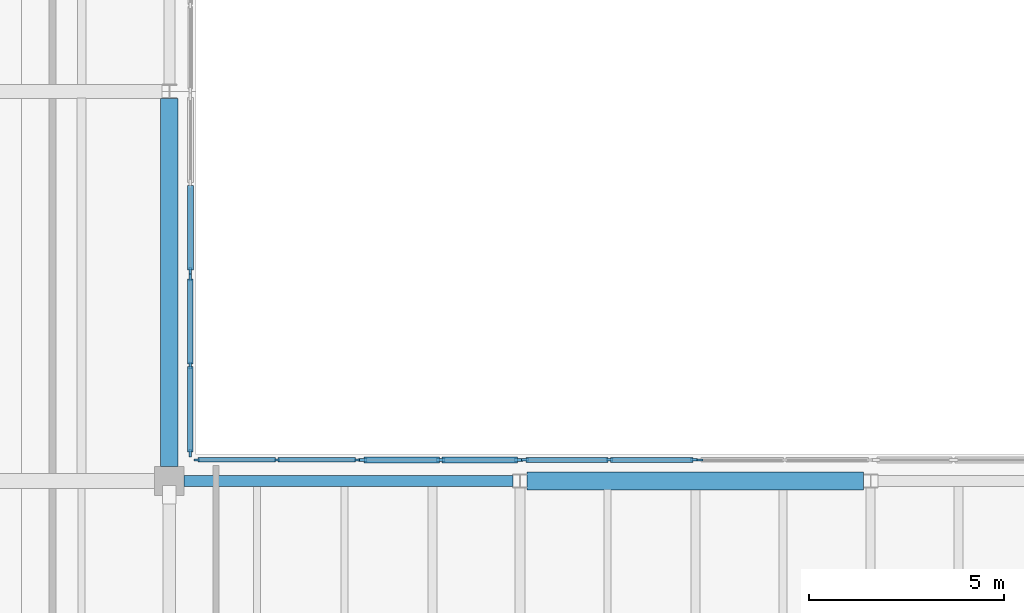
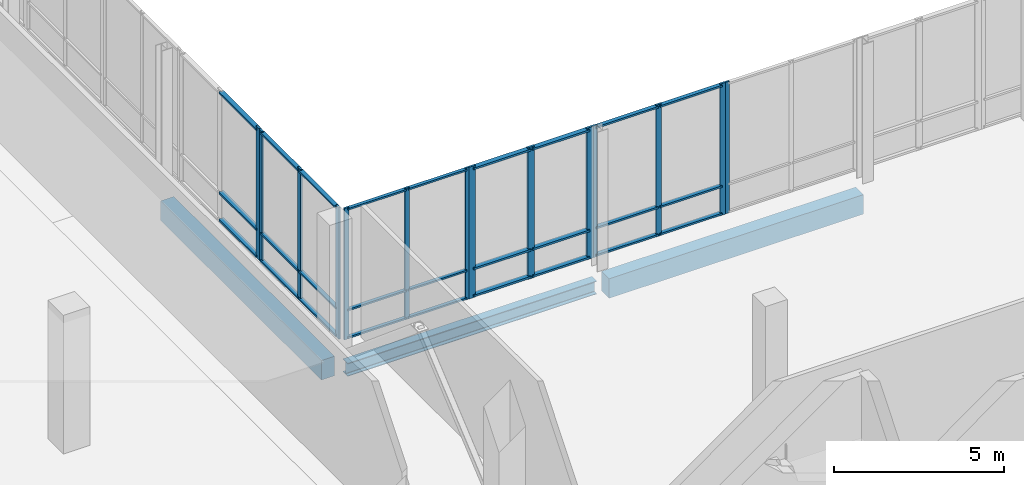
# One storey, part 35 of 88: 41 members, 3 beams, 6 elements without a shape of their own.
"""IFC4 building model written with IfcOpenShell, lengths in metres."""

from ifc_helpers import new_model, si_unit, direction, frame, origin, origin_2d, place, context, subcontext, project, spatial, rectangle, i_section, extrude, material, material_profile, profile_set, type_object, element, aggregate, save


model = new_model("IFC4")

# Units and contexts
model_context = context("Model", 3, precision=1e-05, world=origin(), true_north=direction((0.0, 1.0)))
body_context = subcontext(model_context, "Body", "Model", "MODEL_VIEW")
ifc_project = project(units=[si_unit("LENGTHUNIT", "METRE"), si_unit("AREAUNIT", "SQUARE_METRE"), si_unit("VOLUMEUNIT", "CUBIC_METRE"), si_unit("PLANEANGLEUNIT", "RADIAN"), si_unit("MASSUNIT", "GRAM", prefix="KILO")], contexts=[model_context])

# Site, building, storey
site_placement = place(None, origin())
site = spatial("IfcSite", under=ifc_project, at=site_placement, CompositionType="ELEMENT")
building_placement = place(site_placement, origin())
building = spatial("IfcBuilding", under=site, at=building_placement, Name="Trimount Lyric Opera House", CompositionType="ELEMENT")
storey_placement = place(building_placement, origin())
storey = spatial("IfcBuildingStorey", under=building, at=storey_placement, Name="L00", CompositionType="ELEMENT", Elevation=0.0)

# Curtain wall, member
ifc_material_1 = material(Name="Thermally Broken Aluminium and Low-E Glass", Category="aluminium")
curtain_wall_type = type_object("IfcCurtainWallType", Name="CW-03", PredefinedType="NOTDEFINED", material=ifc_material_1)
curtain_wall_1_placement = place(storey_placement, origin())
curtain_wall_1 = element("IfcCurtainWall", 1, at=curtain_wall_1_placement, inside=storey, type_object=curtain_wall_type, Name="L00 curtain wall 075", PredefinedType="NOTDEFINED")
ifc_material_2 = material(Name="Anodised Aluminium 6063-T6", Category="aluminium")
ifc_material_profile_1 = material_profile(ifc_material_2, rectangle(XDim=0.070068359375, YDim=0.219970703125, at=origin_2d()), Name="ALU-MULL-70X220")
ifc_profile_set_1 = profile_set([ifc_material_profile_1], Name="Anodised Aluminium 6063-T6")
member_type_1 = type_object("IfcMemberType", Name="ML-01", PredefinedType="MULLION", material=ifc_profile_set_1)
member_1_placement = place(storey_placement, frame((18.5400390625, 79.375, 0.0), z_axis=(0.0, 0.0, 1.0), x_axis=(1.0, 0.0, 0.0)))
member_1 = element("IfcMember", 2, at=member_1_placement, type_object=member_type_1, Name="CW-03 mullion 3", PredefinedType="MULLION", context=body_context, shape_type="SweptSolid", body=[
    extrude(rectangle(XDim=0.070068359375, YDim=0.219970703125, at=origin_2d()), origin(), (0.0, 0.0, 1.0), 4.719970703125),
])

# Curtain wall, members
curtain_wall_2_placement = place(storey_placement, origin())
curtain_wall_2 = element("IfcCurtainWall", 3, at=curtain_wall_2_placement, inside=storey, type_object=curtain_wall_type, Name="L00 curtain wall 078", PredefinedType="NOTDEFINED")
member_2_placement = place(storey_placement, frame((22.965087890625, 74.5400390625, 0.0), z_axis=(0.0, 0.0, 1.0), x_axis=(0.0, 1.0, 0.0)))
member_2 = element("IfcMember", 4, at=member_2_placement, type_object=member_type_1, Name="CW-03 mullion 1", PredefinedType="MULLION", context=body_context, shape_type="SweptSolid", body=[
    extrude(rectangle(XDim=0.070068359375, YDim=0.219970703125, at=origin_2d()), origin(), (0.0, 0.0, 1.0), 4.719970703125),
])
member_3_placement = place(storey_placement, frame((24.965087890625, 74.5400390625, 0.0), z_axis=(0.0, 0.0, 1.0), x_axis=(0.0, 1.0, 0.0)))
member_3 = element("IfcMember", 5, at=member_3_placement, type_object=member_type_1, Name="CW-03 mullion 2", PredefinedType="MULLION", context=body_context, shape_type="SweptSolid", body=[
    extrude(rectangle(XDim=0.070068359375, YDim=0.219970703125, at=origin_2d()), origin(), (0.0, 0.0, 1.0), 4.719970703125),
])
member_4_placement = place(storey_placement, frame((26.965087890625, 74.5400390625, 0.0), z_axis=(0.0, 0.0, 1.0), x_axis=(0.0, 1.0, 0.0)))
member_4 = element("IfcMember", 6, at=member_4_placement, type_object=member_type_1, Name="CW-03 mullion 3", PredefinedType="MULLION", context=body_context, shape_type="SweptSolid", body=[
    extrude(rectangle(XDim=0.070068359375, YDim=0.219970703125, at=origin_2d()), origin(), (0.0, 0.0, 1.0), 4.719970703125),
])

curtain_wall_3_placement = place(storey_placement, origin())
curtain_wall_3 = element("IfcCurtainWall", 7, at=curtain_wall_3_placement, inside=storey, type_object=curtain_wall_type, Name="L00 curtain wall 076", PredefinedType="NOTDEFINED")
ifc_material_3 = material(Name="Anodised Aluminium 6063-T6", Category="aluminium")
ifc_material_profile_2 = material_profile(ifc_material_3, rectangle(XDim=0.06494140625, YDim=0.179931640625, at=origin_2d()), Name="ALU-MULL-65X180")
ifc_profile_set_2 = profile_set([ifc_material_profile_2], Name="Anodised Aluminium 6063-T6")
member_type_2 = type_object("IfcMemberType", Name="ML-02", PredefinedType="MULLION", material=ifc_profile_set_2)
member_5_placement = place(storey_placement, frame((18.5400390625, 79.217529296875, 0.0), z_axis=(0.0, 0.0, 1.0), x_axis=(1.0, 0.0, 0.0)))
member_5 = element("IfcMember", 8, at=member_5_placement, type_object=member_type_2, Name="CW-03 mullion 1", PredefinedType="MULLION", context=body_context, shape_type="SweptSolid", body=[
    extrude(rectangle(XDim=0.06494140625, YDim=0.179931640625, at=origin_2d()), origin(), (0.0, 0.0, 1.0), 4.719970703125),
])
member_6_placement = place(storey_placement, frame((18.5400390625, 76.965087890625, 0.0), z_axis=(0.0, 0.0, 1.0), x_axis=(1.0, 0.0, 0.0)))
member_6 = element("IfcMember", 9, at=member_6_placement, type_object=member_type_2, Name="CW-03 mullion 2", PredefinedType="MULLION", context=body_context, shape_type="SweptSolid", body=[
    extrude(rectangle(XDim=0.06494140625, YDim=0.179931640625, at=origin_2d()), origin(), (0.0, 0.0, 1.0), 4.719970703125),
])
member_7_placement = place(storey_placement, frame((18.5400390625, 74.71240234375, 0.0), z_axis=(0.0, 0.0, 1.0), x_axis=(1.0, 0.0, 0.0)))
member_7 = element("IfcMember", 10, at=member_7_placement, type_object=member_type_2, Name="CW-03 mullion 3", PredefinedType="MULLION", context=body_context, shape_type="SweptSolid", body=[
    extrude(rectangle(XDim=0.06494140625, YDim=0.179931640625, at=origin_2d()), origin(), (0.0, 0.0, 1.0), 4.719970703125),
])

curtain_wall_4_placement = place(storey_placement, origin())
curtain_wall_4 = element("IfcCurtainWall", 11, at=curtain_wall_4_placement, inside=storey, type_object=curtain_wall_type, Name="L00 curtain wall 079", PredefinedType="NOTDEFINED")
member_8_placement = place(storey_placement, frame((27.12255859375, 74.5400390625, 0.0), z_axis=(0.0, 0.0, 1.0), x_axis=(0.0, 1.0, 0.0)))
member_8 = element("IfcMember", 12, at=member_8_placement, type_object=member_type_2, Name="CW-03 mullion 1", PredefinedType="MULLION", context=body_context, shape_type="SweptSolid", body=[
    extrude(rectangle(XDim=0.06494140625, YDim=0.179931640625, at=origin_2d()), origin(), (0.0, 0.0, 1.0), 4.719970703125),
])
member_9_placement = place(storey_placement, frame((29.294921875, 74.5400390625, 0.0), z_axis=(0.0, 0.0, 1.0), x_axis=(0.0, 1.0, 0.0)))
member_9 = element("IfcMember", 13, at=member_9_placement, type_object=member_type_2, Name="CW-03 mullion 2", PredefinedType="MULLION", context=body_context, shape_type="SweptSolid", body=[
    extrude(rectangle(XDim=0.06494140625, YDim=0.179931640625, at=origin_2d()), origin(), (0.0, 0.0, 1.0), 4.719970703125),
])
member_10_placement = place(storey_placement, frame((31.467529296875, 74.5400390625, 0.0), z_axis=(0.0, 0.0, 1.0), x_axis=(0.0, 1.0, 0.0)))
member_10 = element("IfcMember", 14, at=member_10_placement, type_object=member_type_2, Name="CW-03 mullion 3", PredefinedType="MULLION", context=body_context, shape_type="SweptSolid", body=[
    extrude(rectangle(XDim=0.06494140625, YDim=0.179931640625, at=origin_2d()), origin(), (0.0, 0.0, 1.0), 4.719970703125),
])

curtain_wall_5_placement = place(storey_placement, origin())
curtain_wall_5 = element("IfcCurtainWall", 15, at=curtain_wall_5_placement, inside=storey, type_object=curtain_wall_type, Name="L00 curtain wall 077", PredefinedType="NOTDEFINED")
ifc_material_4 = material(Name="Anodised Aluminium 6063-T6", Category="aluminium")
ifc_material_profile_3 = material_profile(ifc_material_4, rectangle(XDim=0.06005859375, YDim=0.14990234375, at=origin_2d()), Name="ALU-MULL-60X150")
ifc_profile_set_3 = profile_set([ifc_material_profile_3], Name="Anodised Aluminium 6063-T6")
member_type_3 = type_object("IfcMemberType", Name="ML-03", PredefinedType="MULLION", material=ifc_profile_set_3)
member_11_placement = place(storey_placement, frame((18.7099609375, 74.5400390625, 0.0), z_axis=(0.0, 0.0, 1.0), x_axis=(0.0, 1.0, 0.0)))
member_11 = element("IfcMember", 16, at=member_11_placement, type_object=member_type_3, Name="CW-03 mullion 1", PredefinedType="MULLION", context=body_context, shape_type="SweptSolid", body=[
    extrude(rectangle(XDim=0.06005859375, YDim=0.14990234375, at=origin_2d()), origin(), (0.0, 0.0, 1.0), 4.719970703125),
])
member_12_placement = place(storey_placement, frame((20.760009765625, 74.5400390625, 0.0), z_axis=(0.0, 0.0, 1.0), x_axis=(0.0, 1.0, 0.0)))
member_12 = element("IfcMember", 17, at=member_12_placement, type_object=member_type_3, Name="CW-03 mullion 2", PredefinedType="MULLION", context=body_context, shape_type="SweptSolid", body=[
    extrude(rectangle(XDim=0.06005859375, YDim=0.14990234375, at=origin_2d()), origin(), (0.0, 0.0, 1.0), 4.719970703125),
])
member_13_placement = place(storey_placement, frame((22.81005859375, 74.5400390625, 0.0), z_axis=(0.0, 0.0, 1.0), x_axis=(0.0, 1.0, 0.0)))
member_13 = element("IfcMember", 18, at=member_13_placement, type_object=member_type_3, Name="CW-03 mullion 3", PredefinedType="MULLION", context=body_context, shape_type="SweptSolid", body=[
    extrude(rectangle(XDim=0.06005859375, YDim=0.14990234375, at=origin_2d()), origin(), (0.0, 0.0, 1.0), 4.719970703125),
])

# Curtain wall, member
curtain_wall_6_placement = place(storey_placement, origin())
curtain_wall_6 = element("IfcCurtainWall", 19, at=curtain_wall_6_placement, inside=storey, type_object=curtain_wall_type, Name="L00 curtain wall 080", PredefinedType="NOTDEFINED")
member_14_placement = place(storey_placement, frame((31.6201171875, 74.5400390625, 0.0), z_axis=(0.0, 0.0, 1.0), x_axis=(0.0, 1.0, 0.0)))
member_14 = element("IfcMember", 20, at=member_14_placement, type_object=member_type_3, Name="CW-03 mullion 1", PredefinedType="MULLION", context=body_context, shape_type="SweptSolid", body=[
    extrude(rectangle(XDim=0.06005859375, YDim=0.14990234375, at=origin_2d()), origin(), (0.0, 0.0, 1.0), 4.719970703125),
])
aggregate(curtain_wall_6, [member_14])

# Beams
ifc_material_5 = material(Name="Steel ASTM A992 Grade 50", Category="steel")
ifc_material_profile_4 = material_profile(ifc_material_5, i_section(OverallWidth=0.281982421875, OverallDepth=0.467041015625, WebThickness=0.01220703125, FlangeThickness=0.01953125, FilletRadius=0.012939453125, at=origin_2d()), Name="W18X86")
ifc_profile_set_4 = profile_set([ifc_material_profile_4], Name="Steel ASTM A992 Grade 50")
beam_type_1 = type_object("IfcBeamType", Name="SP-01", PredefinedType="SPANDREL", material=ifc_profile_set_4)
beam_1_placement = place(storey_placement, frame((18.375, 74.0, -0.58349609375), z_axis=(1.0, 0.0, 0.0), x_axis=(0.0, 1.0, 0.0)))
element("IfcBeam", 21, at=beam_1_placement, inside=storey, type_object=beam_type_1, Name="L00 girder X-0143", PredefinedType="SPANDREL", context=body_context, shape_type="SweptSolid", body=[
    extrude(i_section(OverallWidth=0.281982421875, OverallDepth=0.467041015625, WebThickness=0.01220703125, FlangeThickness=0.01953125, FilletRadius=0.012939453125, at=origin_2d()), origin(), (0.0, 0.0, 1.0), 8.44091796875),
])
ifc_material_6 = material(Name="Concrete C40/50", Category="concrete")
ifc_material_profile_5 = material_profile(ifc_material_6, rectangle(XDim=0.449951171875, YDim=0.699951171875, at=origin_2d()), Name="RC450X700")
ifc_profile_set_5 = profile_set([ifc_material_profile_5], Name="Concrete C40/50")
beam_type_2 = type_object("IfcBeamType", Name="SP-02", PredefinedType="SPANDREL", material=ifc_profile_set_5)
beam_2_placement = place(storey_placement, frame((27.18408203125, 74.0, -0.699951171875), z_axis=(1.0, 0.0, 0.0), x_axis=(0.0, 1.0, 0.0)))
element("IfcBeam", 22, at=beam_2_placement, inside=storey, type_object=beam_type_2, Name="L00 girder X-0144", PredefinedType="SPANDREL", context=body_context, shape_type="SweptSolid", body=[
    extrude(rectangle(XDim=0.449951171875, YDim=0.699951171875, at=origin_2d()), origin(), (0.0, 0.0, 1.0), 8.62939453125),
])
beam_3_placement = place(storey_placement, frame((18.0, 74.375, -0.699951171875), z_axis=(0.0, 1.0, 0.0), x_axis=(-1.0, 0.0, 0.0)))
element("IfcBeam", 23, at=beam_3_placement, inside=storey, type_object=beam_type_2, Name="L00 girder Y-0267", PredefinedType="SPANDREL", context=body_context, shape_type="SweptSolid", body=[
    extrude(rectangle(XDim=0.449951171875, YDim=0.699951171875, at=origin_2d()), origin(), (0.0, 0.0, 1.0), 9.447021484375),
])

# Member
ifc_material_7 = material(Name="Anodised Aluminium 6063-T6", Category="aluminium")
ifc_material_profile_6 = material_profile(ifc_material_7, rectangle(XDim=0.159912109375, YDim=0.070068359375, at=origin_2d()), Name="ALU-TRAN-70X160")
ifc_profile_set_6 = profile_set([ifc_material_profile_6], Name="Anodised Aluminium 6063-T6")
member_type_4 = type_object("IfcMemberType", Name="TR-01", PredefinedType="USERDEFINED", material=ifc_profile_set_6)
member_15_placement = place(storey_placement, frame((18.5400390625, 81.590087890625, 0.080078125), z_axis=(0.0, -1.0, 0.0), x_axis=(1.0, 0.0, 0.0)))
member_15 = element("IfcMember", 24, at=member_15_placement, type_object=member_type_4, Name="CW-03 transom 2.1", ObjectType="TRANSOM", PredefinedType="USERDEFINED", context=body_context, shape_type="SweptSolid", body=[
    extrude(rectangle(XDim=0.159912109375, YDim=0.070068359375, at=origin_2d()), origin(), (0.0, 0.0, 1.0), 2.18017578125),
])

member_16_placement = place(storey_placement, frame((18.5400390625, 81.590087890625, 1.050048828125), z_axis=(0.0, -1.0, 0.0), x_axis=(1.0, 0.0, 0.0)))
member_16 = element("IfcMember", 25, at=member_16_placement, type_object=member_type_4, Name="CW-03 transom 2.2", ObjectType="TRANSOM", PredefinedType="USERDEFINED", context=body_context, shape_type="SweptSolid", body=[
    extrude(rectangle(XDim=0.159912109375, YDim=0.070068359375, at=origin_2d()), origin(), (0.0, 0.0, 1.0), 2.18017578125),
])

member_17_placement = place(storey_placement, frame((18.5400390625, 81.590087890625, 4.639892578125), z_axis=(0.0, -1.0, 0.0), x_axis=(1.0, 0.0, 0.0)))
member_17 = element("IfcMember", 26, at=member_17_placement, type_object=member_type_4, Name="CW-03 transom 2.3", ObjectType="TRANSOM", PredefinedType="USERDEFINED", context=body_context, shape_type="SweptSolid", body=[
    extrude(rectangle(XDim=0.159912109375, YDim=0.070068359375, at=origin_2d()), origin(), (0.0, 0.0, 1.0), 2.18017578125),
])

aggregate(curtain_wall_1, [member_1, member_15, member_16, member_17])

member_18_placement = place(storey_placement, frame((23.0, 74.5400390625, 0.080078125), z_axis=(1.0, 0.0, 0.0), x_axis=(0.0, 1.0, 0.0)))
member_18 = element("IfcMember", 27, at=member_18_placement, type_object=member_type_4, Name="CW-03 transom 1.1", ObjectType="TRANSOM", PredefinedType="USERDEFINED", context=body_context, shape_type="SweptSolid", body=[
    extrude(rectangle(XDim=0.159912109375, YDim=0.070068359375, at=origin_2d()), origin(), (0.0, 0.0, 1.0), 1.929931640625),
])

member_19_placement = place(storey_placement, frame((23.0, 74.5400390625, 1.050048828125), z_axis=(1.0, 0.0, 0.0), x_axis=(0.0, 1.0, 0.0)))
member_19 = element("IfcMember", 28, at=member_19_placement, type_object=member_type_4, Name="CW-03 transom 1.2", ObjectType="TRANSOM", PredefinedType="USERDEFINED", context=body_context, shape_type="SweptSolid", body=[
    extrude(rectangle(XDim=0.159912109375, YDim=0.070068359375, at=origin_2d()), origin(), (0.0, 0.0, 1.0), 1.929931640625),
])

member_20_placement = place(storey_placement, frame((23.0, 74.5400390625, 4.639892578125), z_axis=(1.0, 0.0, 0.0), x_axis=(0.0, 1.0, 0.0)))
member_20 = element("IfcMember", 29, at=member_20_placement, type_object=member_type_4, Name="CW-03 transom 1.3", ObjectType="TRANSOM", PredefinedType="USERDEFINED", context=body_context, shape_type="SweptSolid", body=[
    extrude(rectangle(XDim=0.159912109375, YDim=0.070068359375, at=origin_2d()), origin(), (0.0, 0.0, 1.0), 1.929931640625),
])

member_21_placement = place(storey_placement, frame((25.0, 74.5400390625, 0.080078125), z_axis=(1.0, 0.0, 0.0), x_axis=(0.0, 1.0, 0.0)))
member_21 = element("IfcMember", 30, at=member_21_placement, type_object=member_type_4, Name="CW-03 transom 2.1", ObjectType="TRANSOM", PredefinedType="USERDEFINED", context=body_context, shape_type="SweptSolid", body=[
    extrude(rectangle(XDim=0.159912109375, YDim=0.070068359375, at=origin_2d()), origin(), (0.0, 0.0, 1.0), 1.929931640625),
])

member_22_placement = place(storey_placement, frame((25.0, 74.5400390625, 1.050048828125), z_axis=(1.0, 0.0, 0.0), x_axis=(0.0, 1.0, 0.0)))
member_22 = element("IfcMember", 31, at=member_22_placement, type_object=member_type_4, Name="CW-03 transom 2.2", ObjectType="TRANSOM", PredefinedType="USERDEFINED", context=body_context, shape_type="SweptSolid", body=[
    extrude(rectangle(XDim=0.159912109375, YDim=0.070068359375, at=origin_2d()), origin(), (0.0, 0.0, 1.0), 1.929931640625),
])

member_23_placement = place(storey_placement, frame((25.0, 74.5400390625, 4.639892578125), z_axis=(1.0, 0.0, 0.0), x_axis=(0.0, 1.0, 0.0)))
member_23 = element("IfcMember", 32, at=member_23_placement, type_object=member_type_4, Name="CW-03 transom 2.3", ObjectType="TRANSOM", PredefinedType="USERDEFINED", context=body_context, shape_type="SweptSolid", body=[
    extrude(rectangle(XDim=0.159912109375, YDim=0.070068359375, at=origin_2d()), origin(), (0.0, 0.0, 1.0), 1.929931640625),
])

aggregate(curtain_wall_2, [member_2, member_3, member_4, member_18, member_19, member_20, member_21, member_22, member_23])

ifc_material_8 = material(Name="Anodised Aluminium 6063-T6", Category="aluminium")
ifc_material_profile_7 = material_profile(ifc_material_8, rectangle(XDim=0.135009765625, YDim=0.06494140625, at=origin_2d()), Name="ALU-TRAN-65X135")
ifc_profile_set_7 = profile_set([ifc_material_profile_7], Name="Anodised Aluminium 6063-T6")
member_type_5 = type_object("IfcMemberType", Name="TR-02", PredefinedType="USERDEFINED", material=ifc_profile_set_7)
member_24_placement = place(storey_placement, frame((18.5400390625, 79.18505859375, 0.0673828125), z_axis=(0.0, -1.0, 0.0), x_axis=(1.0, 0.0, 0.0)))
member_24 = element("IfcMember", 33, at=member_24_placement, type_object=member_type_5, Name="CW-03 transom 1.1", ObjectType="TRANSOM", PredefinedType="USERDEFINED", context=body_context, shape_type="SweptSolid", body=[
    extrude(rectangle(XDim=0.135009765625, YDim=0.06494140625, at=origin_2d()), origin(), (0.0, 0.0, 1.0), 2.1875),
])

member_25_placement = place(storey_placement, frame((18.5400390625, 79.18505859375, 1.050048828125), z_axis=(0.0, -1.0, 0.0), x_axis=(1.0, 0.0, 0.0)))
member_25 = element("IfcMember", 34, at=member_25_placement, type_object=member_type_5, Name="CW-03 transom 1.2", ObjectType="TRANSOM", PredefinedType="USERDEFINED", context=body_context, shape_type="SweptSolid", body=[
    extrude(rectangle(XDim=0.135009765625, YDim=0.06494140625, at=origin_2d()), origin(), (0.0, 0.0, 1.0), 2.1875),
])

member_26_placement = place(storey_placement, frame((18.5400390625, 79.18505859375, 4.652587890625), z_axis=(0.0, -1.0, 0.0), x_axis=(1.0, 0.0, 0.0)))
member_26 = element("IfcMember", 35, at=member_26_placement, type_object=member_type_5, Name="CW-03 transom 1.3", ObjectType="TRANSOM", PredefinedType="USERDEFINED", context=body_context, shape_type="SweptSolid", body=[
    extrude(rectangle(XDim=0.135009765625, YDim=0.06494140625, at=origin_2d()), origin(), (0.0, 0.0, 1.0), 2.1875),
])

member_27_placement = place(storey_placement, frame((18.5400390625, 76.9326171875, 0.0673828125), z_axis=(0.0, -1.0, 0.0), x_axis=(1.0, 0.0, 0.0)))
member_27 = element("IfcMember", 36, at=member_27_placement, type_object=member_type_5, Name="CW-03 transom 2.1", ObjectType="TRANSOM", PredefinedType="USERDEFINED", context=body_context, shape_type="SweptSolid", body=[
    extrude(rectangle(XDim=0.135009765625, YDim=0.06494140625, at=origin_2d()), origin(), (0.0, 0.0, 1.0), 2.1875),
])

member_28_placement = place(storey_placement, frame((18.5400390625, 76.9326171875, 1.050048828125), z_axis=(0.0, -1.0, 0.0), x_axis=(1.0, 0.0, 0.0)))
member_28 = element("IfcMember", 37, at=member_28_placement, type_object=member_type_5, Name="CW-03 transom 2.2", ObjectType="TRANSOM", PredefinedType="USERDEFINED", context=body_context, shape_type="SweptSolid", body=[
    extrude(rectangle(XDim=0.135009765625, YDim=0.06494140625, at=origin_2d()), origin(), (0.0, 0.0, 1.0), 2.1875),
])

member_29_placement = place(storey_placement, frame((18.5400390625, 76.9326171875, 4.652587890625), z_axis=(0.0, -1.0, 0.0), x_axis=(1.0, 0.0, 0.0)))
member_29 = element("IfcMember", 38, at=member_29_placement, type_object=member_type_5, Name="CW-03 transom 2.3", ObjectType="TRANSOM", PredefinedType="USERDEFINED", context=body_context, shape_type="SweptSolid", body=[
    extrude(rectangle(XDim=0.135009765625, YDim=0.06494140625, at=origin_2d()), origin(), (0.0, 0.0, 1.0), 2.1875),
])

aggregate(curtain_wall_3, [member_5, member_6, member_7, member_24, member_25, member_26, member_27, member_28, member_29])

member_30_placement = place(storey_placement, frame((27.155029296875, 74.5400390625, 0.0673828125), z_axis=(1.0, 0.0, 0.0), x_axis=(0.0, 1.0, 0.0)))
member_30 = element("IfcMember", 39, at=member_30_placement, type_object=member_type_5, Name="CW-03 transom 1.1", ObjectType="TRANSOM", PredefinedType="USERDEFINED", context=body_context, shape_type="SweptSolid", body=[
    extrude(rectangle(XDim=0.135009765625, YDim=0.06494140625, at=origin_2d()), origin(), (0.0, 0.0, 1.0), 2.107421875),
])

member_31_placement = place(storey_placement, frame((27.155029296875, 74.5400390625, 1.050048828125), z_axis=(1.0, 0.0, 0.0), x_axis=(0.0, 1.0, 0.0)))
member_31 = element("IfcMember", 40, at=member_31_placement, type_object=member_type_5, Name="CW-03 transom 1.2", ObjectType="TRANSOM", PredefinedType="USERDEFINED", context=body_context, shape_type="SweptSolid", body=[
    extrude(rectangle(XDim=0.135009765625, YDim=0.06494140625, at=origin_2d()), origin(), (0.0, 0.0, 1.0), 2.107421875),
])

member_32_placement = place(storey_placement, frame((27.155029296875, 74.5400390625, 4.652587890625), z_axis=(1.0, 0.0, 0.0), x_axis=(0.0, 1.0, 0.0)))
member_32 = element("IfcMember", 41, at=member_32_placement, type_object=member_type_5, Name="CW-03 transom 1.3", ObjectType="TRANSOM", PredefinedType="USERDEFINED", context=body_context, shape_type="SweptSolid", body=[
    extrude(rectangle(XDim=0.135009765625, YDim=0.06494140625, at=origin_2d()), origin(), (0.0, 0.0, 1.0), 2.107421875),
])

member_33_placement = place(storey_placement, frame((29.327392578125, 74.5400390625, 0.0673828125), z_axis=(1.0, 0.0, 0.0), x_axis=(0.0, 1.0, 0.0)))
member_33 = element("IfcMember", 42, at=member_33_placement, type_object=member_type_5, Name="CW-03 transom 2.1", ObjectType="TRANSOM", PredefinedType="USERDEFINED", context=body_context, shape_type="SweptSolid", body=[
    extrude(rectangle(XDim=0.135009765625, YDim=0.06494140625, at=origin_2d()), origin(), (0.0, 0.0, 1.0), 2.107666015625),
])

member_34_placement = place(storey_placement, frame((29.327392578125, 74.5400390625, 1.050048828125), z_axis=(1.0, 0.0, 0.0), x_axis=(0.0, 1.0, 0.0)))
member_34 = element("IfcMember", 43, at=member_34_placement, type_object=member_type_5, Name="CW-03 transom 2.2", ObjectType="TRANSOM", PredefinedType="USERDEFINED", context=body_context, shape_type="SweptSolid", body=[
    extrude(rectangle(XDim=0.135009765625, YDim=0.06494140625, at=origin_2d()), origin(), (0.0, 0.0, 1.0), 2.107666015625),
])

member_35_placement = place(storey_placement, frame((29.327392578125, 74.5400390625, 4.652587890625), z_axis=(1.0, 0.0, 0.0), x_axis=(0.0, 1.0, 0.0)))
member_35 = element("IfcMember", 44, at=member_35_placement, type_object=member_type_5, Name="CW-03 transom 2.3", ObjectType="TRANSOM", PredefinedType="USERDEFINED", context=body_context, shape_type="SweptSolid", body=[
    extrude(rectangle(XDim=0.135009765625, YDim=0.06494140625, at=origin_2d()), origin(), (0.0, 0.0, 1.0), 2.107666015625),
])

aggregate(curtain_wall_4, [member_8, member_9, member_10, member_30, member_31, member_32, member_33, member_34, member_35])

ifc_material_9 = material(Name="Anodised Aluminium 6063-T6", Category="aluminium")
ifc_material_profile_8 = material_profile(ifc_material_9, rectangle(XDim=0.114990234375, YDim=0.06005859375, at=origin_2d()), Name="ALU-TRAN-60X115")
ifc_profile_set_8 = profile_set([ifc_material_profile_8], Name="Anodised Aluminium 6063-T6")
member_type_6 = type_object("IfcMemberType", Name="TR-03", PredefinedType="USERDEFINED", material=ifc_profile_set_8)
member_36_placement = place(storey_placement, frame((18.739990234375, 74.5400390625, 0.0576171875), z_axis=(1.0, 0.0, 0.0), x_axis=(0.0, 1.0, 0.0)))
member_36 = element("IfcMember", 45, at=member_36_placement, type_object=member_type_6, Name="CW-03 transom 1.1", ObjectType="TRANSOM", PredefinedType="USERDEFINED", context=body_context, shape_type="SweptSolid", body=[
    extrude(rectangle(XDim=0.114990234375, YDim=0.06005859375, at=origin_2d()), origin(), (0.0, 0.0, 1.0), 1.989990234375),
])

member_37_placement = place(storey_placement, frame((18.739990234375, 74.5400390625, 1.050048828125), z_axis=(1.0, 0.0, 0.0), x_axis=(0.0, 1.0, 0.0)))
member_37 = element("IfcMember", 46, at=member_37_placement, type_object=member_type_6, Name="CW-03 transom 1.2", ObjectType="TRANSOM", PredefinedType="USERDEFINED", context=body_context, shape_type="SweptSolid", body=[
    extrude(rectangle(XDim=0.114990234375, YDim=0.06005859375, at=origin_2d()), origin(), (0.0, 0.0, 1.0), 1.989990234375),
])

member_38_placement = place(storey_placement, frame((18.739990234375, 74.5400390625, 4.66259765625), z_axis=(1.0, 0.0, 0.0), x_axis=(0.0, 1.0, 0.0)))
member_38 = element("IfcMember", 47, at=member_38_placement, type_object=member_type_6, Name="CW-03 transom 1.3", ObjectType="TRANSOM", PredefinedType="USERDEFINED", context=body_context, shape_type="SweptSolid", body=[
    extrude(rectangle(XDim=0.114990234375, YDim=0.06005859375, at=origin_2d()), origin(), (0.0, 0.0, 1.0), 1.989990234375),
])

member_39_placement = place(storey_placement, frame((20.7900390625, 74.5400390625, 0.0576171875), z_axis=(1.0, 0.0, 0.0), x_axis=(0.0, 1.0, 0.0)))
member_39 = element("IfcMember", 48, at=member_39_placement, type_object=member_type_6, Name="CW-03 transom 2.1", ObjectType="TRANSOM", PredefinedType="USERDEFINED", context=body_context, shape_type="SweptSolid", body=[
    extrude(rectangle(XDim=0.114990234375, YDim=0.06005859375, at=origin_2d()), origin(), (0.0, 0.0, 1.0), 1.989990234375),
])

member_40_placement = place(storey_placement, frame((20.7900390625, 74.5400390625, 1.050048828125), z_axis=(1.0, 0.0, 0.0), x_axis=(0.0, 1.0, 0.0)))
member_40 = element("IfcMember", 49, at=member_40_placement, type_object=member_type_6, Name="CW-03 transom 2.2", ObjectType="TRANSOM", PredefinedType="USERDEFINED", context=body_context, shape_type="SweptSolid", body=[
    extrude(rectangle(XDim=0.114990234375, YDim=0.06005859375, at=origin_2d()), origin(), (0.0, 0.0, 1.0), 1.989990234375),
])

member_41_placement = place(storey_placement, frame((20.7900390625, 74.5400390625, 4.66259765625), z_axis=(1.0, 0.0, 0.0), x_axis=(0.0, 1.0, 0.0)))
member_41 = element("IfcMember", 50, at=member_41_placement, type_object=member_type_6, Name="CW-03 transom 2.3", ObjectType="TRANSOM", PredefinedType="USERDEFINED", context=body_context, shape_type="SweptSolid", body=[
    extrude(rectangle(XDim=0.114990234375, YDim=0.06005859375, at=origin_2d()), origin(), (0.0, 0.0, 1.0), 1.989990234375),
])

aggregate(curtain_wall_5, [member_11, member_12, member_13, member_36, member_37, member_38, member_39, member_40, member_41])

save(model, "model.ifc")
